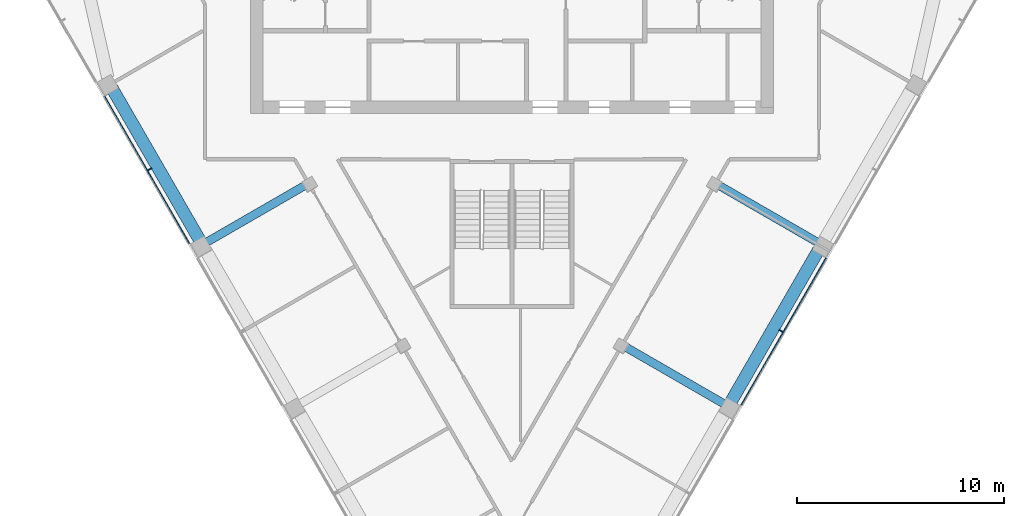
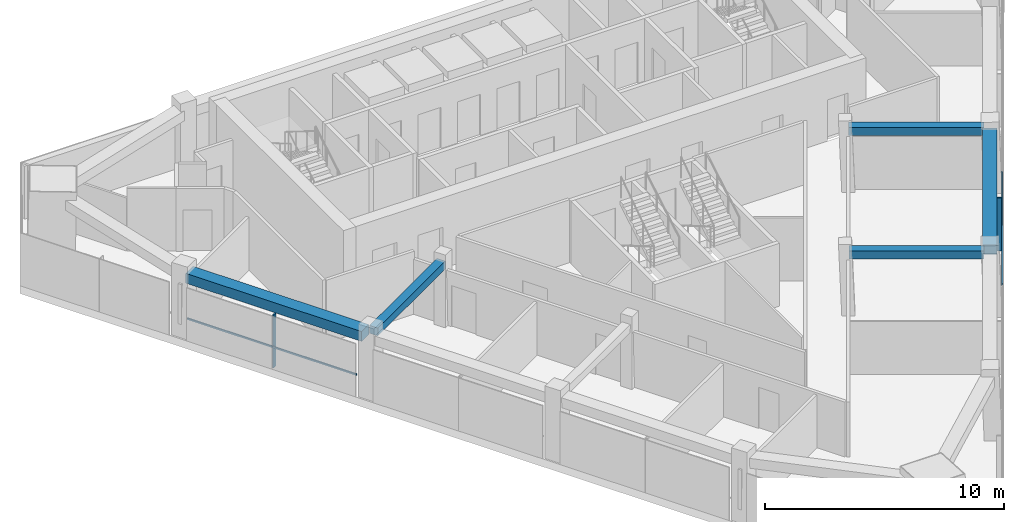
# One storey, part 3 of 12: 5 beams, 4 members, 2 elements without a shape of their own.
"""IFC4 building model written with IfcOpenShell, lengths in metres."""

from ifc_helpers import new_model, si_unit, direction, frame, origin, origin_2d, place, context, subcontext, project, spatial, rectangle, extrude, material, layer, layer_set, material_profile, profile_set, type_object, element, aggregate, save


model = new_model("IFC4")

# Units and contexts
model_context = context("Model", 3, precision=1e-05, world=origin(), true_north=direction((0.0, 1.0)))
body_context = subcontext(model_context, "Body", "Model", "MODEL_VIEW")
ifc_project = project(units=[si_unit("LENGTHUNIT", "METRE"), si_unit("AREAUNIT", "SQUARE_METRE"), si_unit("VOLUMEUNIT", "CUBIC_METRE"), si_unit("PLANEANGLEUNIT", "RADIAN"), si_unit("MASSUNIT", "GRAM", prefix="KILO")], contexts=[model_context])

# Site, building, storey
site_placement = place(None, origin())
site = spatial("IfcSite", under=ifc_project, at=site_placement, CompositionType="ELEMENT")
building_placement = place(site_placement, origin())
building = spatial("IfcBuilding", under=site, at=building_placement, Name="Altiplano Prism Tower", CompositionType="ELEMENT")
storey_placement = place(building_placement, frame((0.0, 0.0, 253.60009765625)))
storey = spatial("IfcBuildingStorey", under=building, at=storey_placement, Name="L65", CompositionType="ELEMENT", Elevation=253.60009765625)

# Curtain wall, member
ifc_material_1 = material(Name="Aluminium and glass", Category="aluminium")
ifc_layer = layer(ifc_material_1, 0.303955078125)
ifc_layer_set = layer_set([ifc_layer], Name="Aluminium and glass")
curtain_wall_type = type_object("IfcCurtainWallType", Name="CW2 lounge-band unitised glazing", PredefinedType="NOTDEFINED", material=ifc_layer_set)
curtain_wall_1_placement = place(storey_placement, origin())
curtain_wall_1 = element("IfcCurtainWall", 1, at=curtain_wall_1_placement, inside=storey, type_object=curtain_wall_type, Name="CW2 curtain wall south-west face L65", PredefinedType="NOTDEFINED")
ifc_material_2 = material(Name="Aluminium", Category="aluminium")
ifc_material_profile_1 = material_profile(ifc_material_2, rectangle(XDim=0.199951171875, YDim=0.06005859375, at=origin_2d()), Name="CW2 mullion 60 x 200")
ifc_profile_set_1 = profile_set([ifc_material_profile_1], Name="Aluminium")
member_type_1 = type_object("IfcMemberType", Name="CW2 mullion 60 x 200", PredefinedType="MULLION", material=ifc_profile_set_1)
member_1_placement = place(storey_placement, frame((67.525146484375, 90.116943359375, 0.0), z_axis=(0.0, 0.0, 1.0), x_axis=(0.866025402484, 0.500000002252, 0.0)))
member_1 = element("IfcMember", 2, at=member_1_placement, type_object=member_type_1, Name="CW2 mullion", PredefinedType="MULLION", context=body_context, shape_type="SweptSolid", body=[
    extrude(rectangle(XDim=0.199951171875, YDim=0.06005859375, at=origin_2d()), origin(), (0.0, 0.0, 1.0), 2.699951171875),
])

curtain_wall_2_placement = place(storey_placement, origin())
curtain_wall_2 = element("IfcCurtainWall", 3, at=curtain_wall_2_placement, inside=storey, type_object=curtain_wall_type, Name="CW2 curtain wall south-east face L65", PredefinedType="NOTDEFINED")
member_2_placement = place(storey_placement, frame((97.974853515625, 82.32275390625, 0.0), z_axis=(0.0, 0.0, 1.0), x_axis=(-0.866025402484, 0.500000002252, 0.0)))
member_2 = element("IfcMember", 4, at=member_2_placement, type_object=member_type_1, Name="CW2 mullion", PredefinedType="MULLION", context=body_context, shape_type="SweptSolid", body=[
    extrude(rectangle(XDim=0.199951171875, YDim=0.06005859375, at=origin_2d()), origin(), (0.0, 0.0, 1.0), 2.699951171875),
])

# Member
ifc_material_profile_2 = material_profile(ifc_material_2, rectangle(XDim=0.06005859375, YDim=0.080078125, at=origin_2d()), Name="CW2 transom 80 x 60")
ifc_profile_set_2 = profile_set([ifc_material_profile_2], Name="Aluminium")
member_type_2 = type_object("IfcMemberType", Name="CW2 transom 80 x 60", PredefinedType="USERDEFINED", material=ifc_profile_set_2)
member_3_placement = place(storey_placement, frame((65.350341796875, 93.623779296875, 1.099853515625), z_axis=(0.499986310131, -0.86603330749, 0.0), x_axis=(0.86603330749, 0.499986310131, 0.0)))
member_3 = element("IfcMember", 5, at=member_3_placement, type_object=member_type_2, Name="CW2 transom", ObjectType="TRANSOM", PredefinedType="USERDEFINED", context=body_context, shape_type="SweptSolid", body=[
    extrude(rectangle(XDim=0.06005859375, YDim=0.080078125, at=origin_2d()), origin(), (0.0, 0.0, 1.0), 8.169677734375),
])

aggregate(curtain_wall_1, [member_1, member_3])

member_4_placement = place(storey_placement, frame((96.06494140625, 78.754150390625, 1.099853515625), z_axis=(0.49997337057, 0.866040777747, 0.0), x_axis=(-0.866040777747, 0.49997337057, 0.0)))
member_4 = element("IfcMember", 6, at=member_4_placement, type_object=member_type_2, Name="CW2 transom", ObjectType="TRANSOM", PredefinedType="USERDEFINED", context=body_context, shape_type="SweptSolid", body=[
    extrude(rectangle(XDim=0.06005859375, YDim=0.080078125, at=origin_2d()), origin(), (0.0, 0.0, 1.0), 8.169921875),
])

aggregate(curtain_wall_2, [member_2, member_4])

# Beams
ifc_material_3 = material(Name="Concrete C60/75", Category="concrete")
ifc_material_profile_3 = material_profile(ifc_material_3, rectangle(XDim=0.60009765625, YDim=0.5, at=origin_2d()), Name="Edge beam 600x500")
ifc_profile_set_3 = profile_set([ifc_material_profile_3], Name="Concrete C60/75")
beam_type_1 = type_object("IfcBeamType", Name="Edge beam 600x500", PredefinedType="SPANDREL", material=ifc_profile_set_3)
for number, where, z_axis, x_axis, name in (
    (7, (65.695556640625, 94.0546875, 2.949951171875), (0.500011199594, -0.866018937599, 0.0), (0.866018937599, 0.500011199594, 0.0), "Edge beam P11-P12 L66"),
    (8, (95.559326171875, 78.907958984375, 2.949951171875), (0.500011199594, 0.866018937599, 0.0), (-0.866018937599, 0.500011199594, 0.0), "Edge beam P22-P23 L66"),
):
    element("IfcBeam", number, at=place(storey_placement, frame(where, z_axis=z_axis, x_axis=x_axis)), inside=storey, type_object=beam_type_1, Name=name, PredefinedType="SPANDREL", context=body_context, shape_type="SweptSolid", body=[
        extrude(rectangle(XDim=0.60009765625, YDim=0.5, at=origin_2d()), origin(), (0.0, 0.0, 1.0), 8.489990234375),
    ])
ifc_material_profile_4 = material_profile(ifc_material_3, rectangle(XDim=0.39990234375, YDim=0.39990234375, at=origin_2d()), Name="Tie beam 400x400")
ifc_profile_set_4 = profile_set([ifc_material_profile_4], Name="Concrete C60/75")
beam_type_2 = type_object("IfcBeamType", Name="Tie beam 400x400", PredefinedType="BEAM", material=ifc_profile_set_4)
for number, where, z_axis, x_axis, name in (
    (9, (75.17333984375, 89.428955078125, 3.0), (-0.866026281646, -0.499998479497, 0.0), (0.499998479497, -0.866026281646, 0.0), "Tie beam I12 L66"),
    (10, (90.32666015625, 81.634521484375, 3.0), (0.866045024864, -0.499966013754, 0.0), (0.499966013754, 0.866045024864, 0.0), "Tie beam I22 L66"),
    (11, (94.82666015625, 89.428955078125, 3.0), (0.866026281646, -0.499998479497, 0.0), (0.499998479497, 0.866026281646, 0.0), "Tie beam I23 L66"),
):
    element("IfcBeam", number, at=place(storey_placement, frame(where, z_axis=z_axis, x_axis=x_axis)), inside=storey, type_object=beam_type_2, Name=name, PredefinedType="BEAM", context=body_context, shape_type="SweptSolid", body=[
        extrude(rectangle(XDim=0.39990234375, YDim=0.39990234375, at=origin_2d()), origin(), (0.0, 0.0, 1.0), 5.64013671875),
    ])

save(model, "model.ifc")
